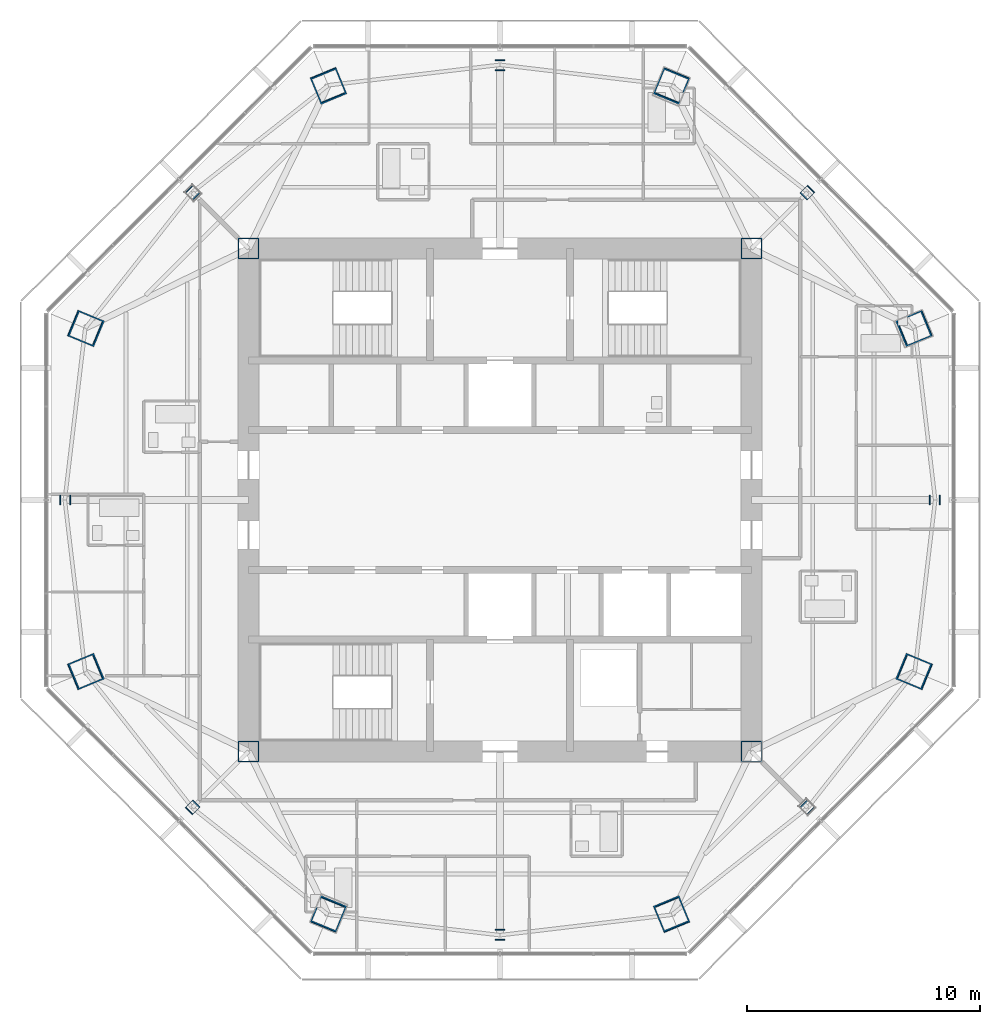
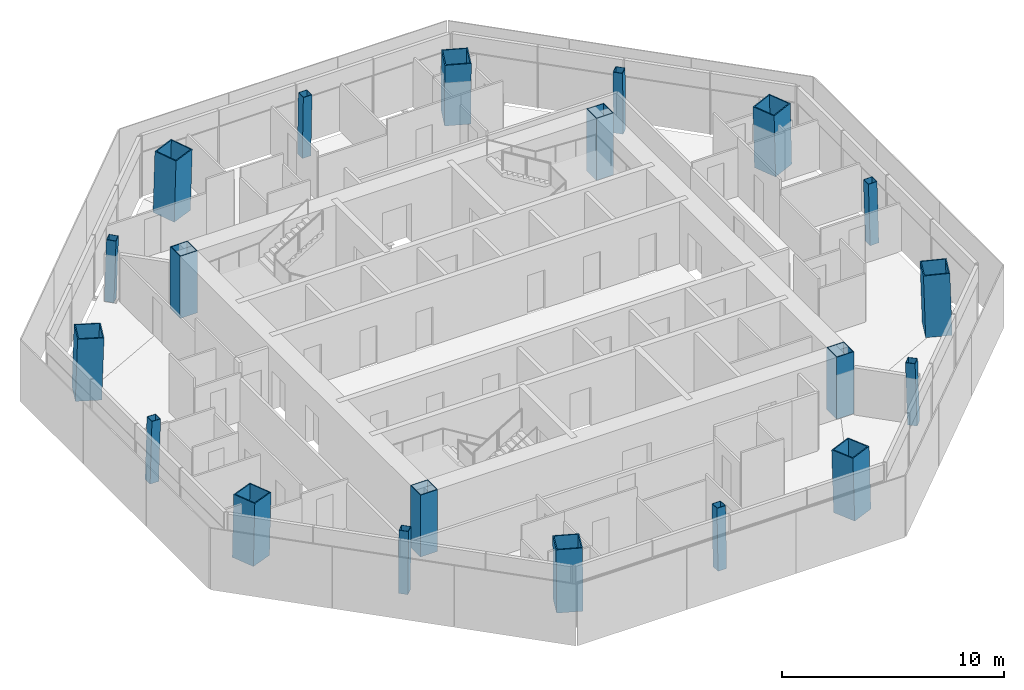
# One storey, part 1 of 15: 20 columns.
"""IFC4 building model written with IfcOpenShell, lengths in metres."""

from ifc_helpers import new_model, si_unit, direction, frame, origin, origin_2d, place, context, subcontext, project, spatial, hollow_rectangle, extrude, material, material_profile, profile_set, type_object, element, save


model = new_model("IFC4")

# Units and contexts
model_context = context("Model", 3, precision=1e-05, world=origin(), true_north=direction((0.0, 1.0)))
body_context = subcontext(model_context, "Body", "Model", "MODEL_VIEW")
ifc_project = project(units=[si_unit("LENGTHUNIT", "METRE"), si_unit("AREAUNIT", "SQUARE_METRE"), si_unit("VOLUMEUNIT", "CUBIC_METRE"), si_unit("PLANEANGLEUNIT", "RADIAN"), si_unit("MASSUNIT", "GRAM", prefix="KILO")], contexts=[model_context])

# Site, building, storey
site_placement = place(None, origin())
site = spatial("IfcSite", under=ifc_project, at=site_placement, CompositionType="ELEMENT")
building_placement = place(site_placement, origin())
building = spatial("IfcBuilding", under=site, at=building_placement, Name="Mashrafa Tower", CompositionType="ELEMENT")
storey_placement = place(building_placement, frame((0.0, 0.0, 301.39990234375)))
storey = spatial("IfcBuildingStorey", under=building, at=storey_placement, Name="L74", CompositionType="ELEMENT", Elevation=301.39990234375)

# Columns
ifc_material_1 = material(Name="Steel ASTM A572 Gr 50", Category="steel")
ifc_material_profile_1 = material_profile(ifc_material_1, hollow_rectangle(XDim=0.89990234375, YDim=0.89990234375, WallThickness=0.0400390625, at=origin_2d()), Name="BOX900X900X40")
ifc_profile_set_1 = profile_set([ifc_material_profile_1], Name="Steel ASTM A572 Gr 50")
column_type_1 = type_object("IfcColumnType", Name="Core corner column BOX900X900X40", PredefinedType="COLUMN", material=ifc_profile_set_1)
for number, where, z_axis, x_axis, name in (
    (1, (10.800048828125, 10.800048828125, 0.0), (0.0, 0.0, 1.0), (1.0, 0.0, 0.0), "Core corner column CC-NE L74"),
    (2, (-10.800048828125, 10.800048828125, 0.0), (0.0, 0.0, 1.0), (1.0, 0.0, 0.0), "Core corner column CC-NW L74"),
    (3, (-10.800048828125, -10.800048828125, 0.0), (0.0, 0.0, 1.0), (1.0, 0.0, 0.0), "Core corner column CC-SW L74"),
    (4, (10.800048828125, -10.800048828125, 0.0), (0.0, 0.0, 1.0), (1.0, 0.0, 0.0), "Core corner column CC-SE L74"),
):
    element("IfcColumn", number, at=place(storey_placement, frame(where, z_axis=z_axis, x_axis=x_axis)), inside=storey, type_object=column_type_1, Name=name, PredefinedType="COLUMN", context=body_context, shape_type="SweptSolid", body=[
        extrude(hollow_rectangle(XDim=0.89990234375, YDim=0.89990234375, WallThickness=0.0400390625, at=origin_2d()), origin(), (0.0, 0.0, 1.0), 3.400146484375),
    ])
ifc_material_2 = material(Name="Steel ASTM A572 Gr 50", Category="steel")
ifc_material_profile_2 = material_profile(ifc_material_2, hollow_rectangle(XDim=1.199951171875, YDim=1.199951171875, WallThickness=0.054931640625, at=origin_2d()), Name="BOX1200X1200X55")
ifc_profile_set_2 = profile_set([ifc_material_profile_2], Name="Steel ASTM A572 Gr 50")
column_type_2 = type_object("IfcColumnType", Name="Mega column CFST BOX1200X1200X55", PredefinedType="COLUMN", material=ifc_profile_set_2)
for number, where, z_axis, x_axis, name in (
    (5, (17.810302734375, 7.377197265625, 0.0), (-0.028277121884, -0.011698403216, 0.999531666202), (0.382282742426, -0.924045401938, 0.0), "Mega column MC1 L74"),
    (6, (7.377197265625, 17.810302734375, 0.0), (-0.011698403216, -0.028277121884, 0.999531666202), (0.924045401938, -0.382282742426, 0.0), "Mega column MC2 L74"),
    (7, (-7.377197265625, 17.810302734375, 0.0), (0.011698403216, -0.028277121884, 0.999531666202), (0.924045401938, 0.382282742426, 0.0), "Mega column MC3 L74"),
    (8, (-17.810302734375, 7.377197265625, 0.0), (0.028277121884, -0.011698403216, 0.999531666202), (0.382282742426, 0.924045401938, 0.0), "Mega column MC4 L74"),
    (9, (-17.810302734375, -7.377197265625, 0.0), (0.028277121884, 0.011698403216, 0.999531666202), (-0.382282742426, 0.924045401938, 0.0), "Mega column MC5 L74"),
    (10, (-7.377197265625, -17.810302734375, 0.0), (0.011698403216, 0.028277121884, 0.999531666202), (-0.924045401938, 0.382282742426, 0.0), "Mega column MC6 L74"),
    (11, (7.377197265625, -17.810302734375, 0.0), (-0.011698403216, 0.028277121884, 0.999531666202), (-0.924045401938, -0.382282742426, 0.0), "Mega column MC7 L74"),
    (12, (17.810302734375, -7.377197265625, 0.0), (-0.028277121884, 0.011698403216, 0.999531666202), (-0.382282742426, -0.924045401938, 0.0), "Mega column MC8 L74"),
):
    element("IfcColumn", number, at=place(storey_placement, frame(where, z_axis=z_axis, x_axis=x_axis)), inside=storey, type_object=column_type_2, Name=name, PredefinedType="COLUMN", context=body_context, shape_type="SweptSolid", body=[
        extrude(hollow_rectangle(XDim=1.199951171875, YDim=1.199951171875, WallThickness=0.054931640625, at=origin_2d()), origin(), (0.0, 0.0, 1.0), 3.40185546875),
    ])
ifc_material_3 = material(Name="Steel ASTM A572 Gr 50", Category="steel")
ifc_material_profile_3 = material_profile(ifc_material_3, hollow_rectangle(XDim=0.449951171875, YDim=0.449951171875, WallThickness=0.02001953125, at=origin_2d()), Name="BOX450X450X20")
ifc_profile_set_3 = profile_set([ifc_material_profile_3], Name="Steel ASTM A572 Gr 50")
column_type_3 = type_object("IfcColumnType", Name="Secondary column BOX450X450X20", PredefinedType="COLUMN", material=ifc_profile_set_3)
for number, where, z_axis, x_axis, name in (
    (13, (18.6884765625, 0.0, 0.0), (-0.028279056982, 0.0, 0.999600067495), (0.0, -1.0, 0.0), "Secondary column SC1 L74"),
    (14, (13.21484375, 13.21484375, 0.0), (-0.020024994503, -0.020024994503, 0.999598919162), (0.707106781187, -0.707106781187, 0.0), "Secondary column SC2 L74"),
    (15, (0.0, 18.6884765625, 0.0), (0.0, -0.028279056982, 0.999600067495), (1.0, 0.0, 0.0), "Secondary column SC3 L74"),
    (16, (-13.21484375, 13.21484375, 0.0), (0.020024994503, -0.020024994503, 0.999598919162), (0.707106781187, 0.707106781187, 0.0), "Secondary column SC4 L74"),
    (17, (-18.6884765625, 0.0, 0.0), (0.028279056982, 0.0, 0.999600067495), (0.0, 1.0, 0.0), "Secondary column SC5 L74"),
    (18, (-13.21484375, -13.21484375, 0.0), (0.020024994503, 0.020024994503, 0.999598919162), (-0.707106781187, 0.707106781187, 0.0), "Secondary column SC6 L74"),
    (19, (0.0, -18.6884765625, 0.0), (0.0, 0.028279056982, 0.999600067495), (-1.0, 0.0, 0.0), "Secondary column SC7 L74"),
    (20, (13.21484375, -13.21484375, 0.0), (-0.020024994503, 0.020024994503, 0.999598919162), (-0.707106781187, -0.707106781187, 0.0), "Secondary column SC8 L74"),
):
    element("IfcColumn", number, at=place(storey_placement, frame(where, z_axis=z_axis, x_axis=x_axis)), inside=storey, type_object=column_type_3, Name=name, PredefinedType="COLUMN", context=body_context, shape_type="SweptSolid", body=[
        extrude(hollow_rectangle(XDim=0.449951171875, YDim=0.449951171875, WallThickness=0.02001953125, at=origin_2d()), origin(), (0.0, 0.0, 1.0), 3.401611328125),
    ])

save(model, "model.ifc")
